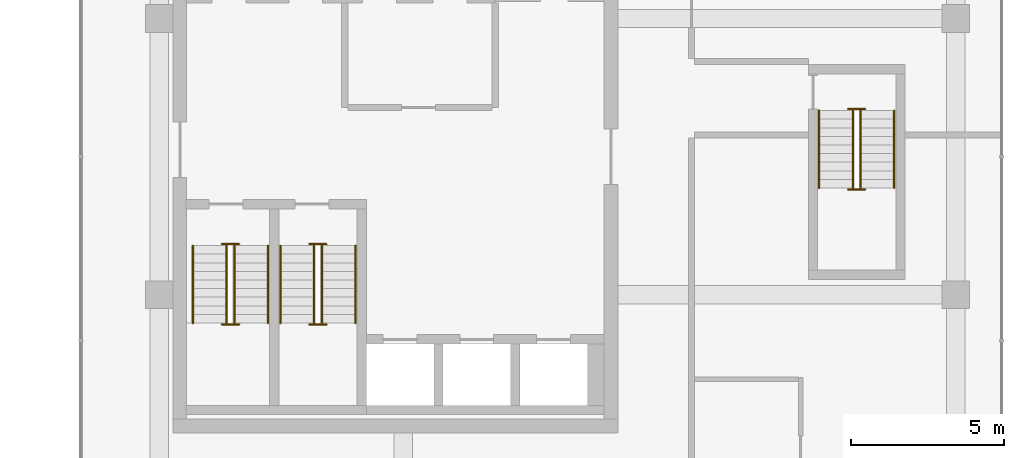
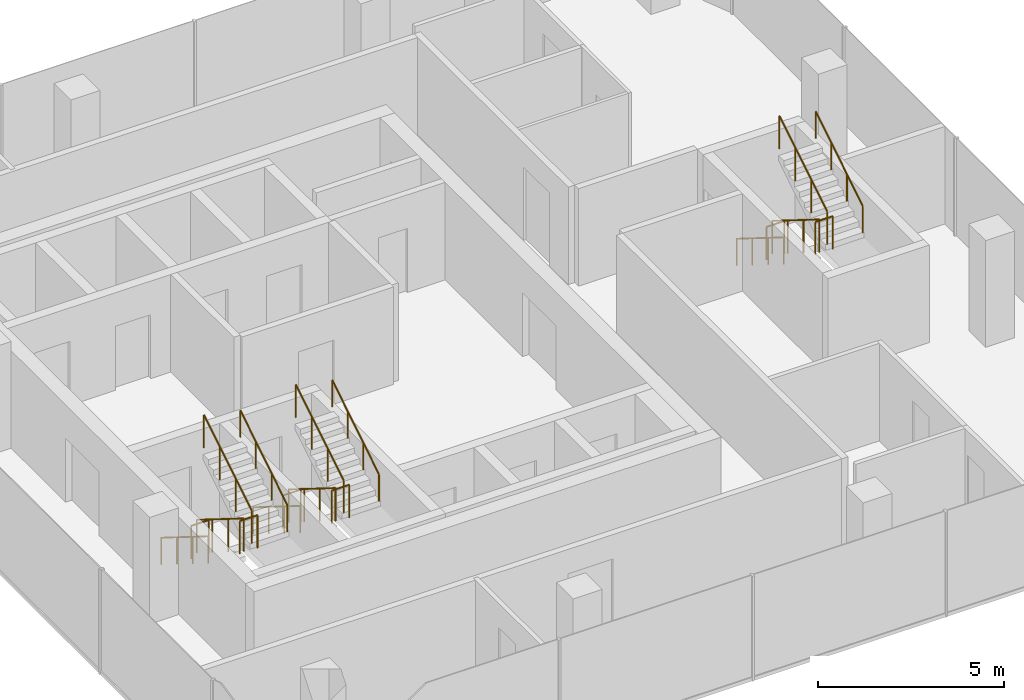
# One storey, part 22 of 22: 18 railings.
"""IFC4 building model written with IfcOpenShell, lengths in metres."""

from ifc_helpers import new_model, si_unit, direction, frame, origin, origin_2d, place, context, subcontext, project, spatial, circle, extrude, material, type_object, element, save


model = new_model("IFC4")

# Units and contexts
model_context = context("Model", 3, precision=1e-05, world=origin(), true_north=direction((0.0, 1.0)))
body_context = subcontext(model_context, "Body", "Model", "MODEL_VIEW")
ifc_project = project(units=[si_unit("LENGTHUNIT", "METRE"), si_unit("AREAUNIT", "SQUARE_METRE"), si_unit("VOLUMEUNIT", "CUBIC_METRE"), si_unit("PLANEANGLEUNIT", "RADIAN"), si_unit("MASSUNIT", "GRAM", prefix="KILO")], contexts=[model_context])

# Site, building, storey
site_placement = place(None, origin())
site = spatial("IfcSite", under=ifc_project, at=site_placement, CompositionType="ELEMENT")
building_placement = place(site_placement, origin())
building = spatial("IfcBuilding", under=site, at=building_placement, Name="Plateau Cross Towers", CompositionType="ELEMENT")
storey_placement = place(building_placement, frame((0.0, 0.0, 68.800048828125)))
storey = spatial("IfcBuildingStorey", under=building, at=storey_placement, Name="L17", CompositionType="ELEMENT", Elevation=68.800048828125)

# Railings
ifc_material_1 = material(Name="Stainless steel and toughened glass", Category="steel")
railing_type_1 = type_object("IfcRailingType", Name="RL-GUARD-1100", PredefinedType="GUARDRAIL", material=ifc_material_1)
railing_1_placement = place(storey_placement, frame((76.75, 6.10009765625, 0.175048828125)))
element("IfcRailing", 1, at=railing_1_placement, inside=storey, type_object=railing_type_1, Name="L17 SB-1 stair guard 1", PredefinedType="GUARDRAIL", context=body_context, shape_type="SweptSolid", body=[
    extrude(circle(Radius=0.02392578125, at=origin_2d()), frame((0.0, 0.0, 1.076171875), z_axis=(0.0, -0.848007534815, 0.529984170421), x_axis=(1.0, 0.0, 0.0)), (0.0, 0.0, 1.0), 2.9716796875),
    extrude(circle(Radius=0.02099609375, at=origin_2d()), origin(), (0.0, 0.0, 1.0), 1.052001953125),
    extrude(circle(Radius=0.02099609375, at=origin_2d()), frame((0.0, -0.840087890625, 0.52490234375)), (0.0, 0.0, 1.0), 1.052001953125),
    extrude(circle(Radius=0.02099609375, at=origin_2d()), frame((0.0, -1.679931640625, 1.050048828125)), (0.0, 0.0, 1.0), 1.052001953125),
    extrude(circle(Radius=0.02099609375, at=origin_2d()), frame((0.0, -2.52001953125, 1.574951171875)), (0.0, 0.0, 1.0), 1.052001953125),
])
railing_2_placement = place(storey_placement, frame((76.60009765625, 3.530029296875, 1.75)))
element("IfcRailing", 2, at=railing_2_placement, inside=storey, type_object=railing_type_1, Name="L17 SB-1 stair guard 2", PredefinedType="GUARDRAIL", context=body_context, shape_type="SweptSolid", body=[
    extrude(circle(Radius=0.02392578125, at=origin_2d()), frame((0.0, 0.0, 1.076171875), z_axis=(1.0, 0.0, 0.0), x_axis=(0.0, 1.0, 0.0)), (0.0, 0.0, 1.0), 0.5498046875),
    extrude(circle(Radius=0.02099609375, at=origin_2d()), origin(), (0.0, 0.0, 1.0), 1.052001953125),
    extrude(circle(Radius=0.02099609375, at=origin_2d()), frame((0.5498046875, 0.0, 0.0)), (0.0, 0.0, 1.0), 1.052001953125),
])
railing_3_placement = place(storey_placement, frame((77.0, 3.580078125, 1.925048828125)))
element("IfcRailing", 3, at=railing_3_placement, inside=storey, type_object=railing_type_1, Name="L17 SB-1 stair guard 3", PredefinedType="GUARDRAIL", context=body_context, shape_type="SweptSolid", body=[
    extrude(circle(Radius=0.02392578125, at=origin_2d()), frame((0.0, 0.0, 1.076171875), z_axis=(0.0, 0.852616386126, 0.522537365276), x_axis=(-1.0, 0.0, 0.0)), (0.0, 0.0, 1.0), 3.01416015625),
    extrude(circle(Radius=0.02099609375, at=origin_2d()), origin(), (0.0, 0.0, 1.0), 1.052001953125),
    extrude(circle(Radius=0.02099609375, at=origin_2d()), frame((0.0, 0.856689453125, 0.52490234375)), (0.0, 0.0, 1.0), 1.052001953125),
    extrude(circle(Radius=0.02099609375, at=origin_2d()), frame((0.0, 1.713134765625, 1.050048828125)), (0.0, 0.0, 1.0), 1.052001953125),
    extrude(circle(Radius=0.02099609375, at=origin_2d()), frame((0.0, 2.56982421875, 1.574951171875)), (0.0, 0.0, 1.0), 1.052001953125),
])
railing_4_placement = place(storey_placement, frame((76.60009765625, 6.14990234375, 0.0)))
element("IfcRailing", 4, at=railing_4_placement, inside=storey, type_object=railing_type_1, Name="L17 SB-1 stair guard 4", PredefinedType="GUARDRAIL", context=body_context, shape_type="SweptSolid", body=[
    extrude(circle(Radius=0.02392578125, at=origin_2d()), frame((0.0, 0.0, 1.076171875), z_axis=(1.0, 0.0, 0.0), x_axis=(0.0, 1.0, 0.0)), (0.0, 0.0, 1.0), 0.5498046875),
    extrude(circle(Radius=0.02099609375, at=origin_2d()), origin(), (0.0, 0.0, 1.0), 1.052001953125),
    extrude(circle(Radius=0.02099609375, at=origin_2d()), frame((0.5498046875, 0.0, 0.0)), (0.0, 0.0, 1.0), 1.052001953125),
])
railing_5_placement = place(storey_placement, frame((79.60009765625, 6.10009765625, 0.175048828125)))
element("IfcRailing", 5, at=railing_5_placement, inside=storey, type_object=railing_type_1, Name="L17 SB-2 stair guard 1", PredefinedType="GUARDRAIL", context=body_context, shape_type="SweptSolid", body=[
    extrude(circle(Radius=0.02392578125, at=origin_2d()), frame((0.0, 0.0, 1.076171875), z_axis=(0.0, -0.848007534815, 0.529984170421), x_axis=(1.0, 0.0, 0.0)), (0.0, 0.0, 1.0), 2.9716796875),
    extrude(circle(Radius=0.02099609375, at=origin_2d()), origin(), (0.0, 0.0, 1.0), 1.052001953125),
    extrude(circle(Radius=0.02099609375, at=origin_2d()), frame((0.0, -0.840087890625, 0.52490234375)), (0.0, 0.0, 1.0), 1.052001953125),
    extrude(circle(Radius=0.02099609375, at=origin_2d()), frame((0.0, -1.679931640625, 1.050048828125)), (0.0, 0.0, 1.0), 1.052001953125),
    extrude(circle(Radius=0.02099609375, at=origin_2d()), frame((0.0, -2.52001953125, 1.574951171875)), (0.0, 0.0, 1.0), 1.052001953125),
])
railing_6_placement = place(storey_placement, frame((79.449951171875, 3.530029296875, 1.75)))
element("IfcRailing", 6, at=railing_6_placement, inside=storey, type_object=railing_type_1, Name="L17 SB-2 stair guard 2", PredefinedType="GUARDRAIL", context=body_context, shape_type="SweptSolid", body=[
    extrude(circle(Radius=0.02392578125, at=origin_2d()), frame((0.0, 0.0, 1.076171875), z_axis=(1.0, 0.0, 0.0), x_axis=(0.0, 1.0, 0.0)), (0.0, 0.0, 1.0), 0.550048828125),
    extrude(circle(Radius=0.02099609375, at=origin_2d()), origin(), (0.0, 0.0, 1.0), 1.052001953125),
    extrude(circle(Radius=0.02099609375, at=origin_2d()), frame((0.550048828125, 0.0, 0.0)), (0.0, 0.0, 1.0), 1.052001953125),
])
railing_7_placement = place(storey_placement, frame((79.85009765625, 3.580078125, 1.925048828125)))
element("IfcRailing", 7, at=railing_7_placement, inside=storey, type_object=railing_type_1, Name="L17 SB-2 stair guard 3", PredefinedType="GUARDRAIL", context=body_context, shape_type="SweptSolid", body=[
    extrude(circle(Radius=0.02392578125, at=origin_2d()), frame((0.0, 0.0, 1.076171875), z_axis=(0.0, 0.852616386126, 0.522537365276), x_axis=(-1.0, 0.0, 0.0)), (0.0, 0.0, 1.0), 3.01416015625),
    extrude(circle(Radius=0.02099609375, at=origin_2d()), origin(), (0.0, 0.0, 1.0), 1.052001953125),
    extrude(circle(Radius=0.02099609375, at=origin_2d()), frame((0.0, 0.856689453125, 0.52490234375)), (0.0, 0.0, 1.0), 1.052001953125),
    extrude(circle(Radius=0.02099609375, at=origin_2d()), frame((0.0, 1.713134765625, 1.050048828125)), (0.0, 0.0, 1.0), 1.052001953125),
    extrude(circle(Radius=0.02099609375, at=origin_2d()), frame((0.0, 2.56982421875, 1.574951171875)), (0.0, 0.0, 1.0), 1.052001953125),
])
railing_8_placement = place(storey_placement, frame((79.449951171875, 6.14990234375, 0.0)))
element("IfcRailing", 8, at=railing_8_placement, inside=storey, type_object=railing_type_1, Name="L17 SB-2 stair guard 4", PredefinedType="GUARDRAIL", context=body_context, shape_type="SweptSolid", body=[
    extrude(circle(Radius=0.02392578125, at=origin_2d()), frame((0.0, 0.0, 1.076171875), z_axis=(1.0, 0.0, 0.0), x_axis=(0.0, 1.0, 0.0)), (0.0, 0.0, 1.0), 0.550048828125),
    extrude(circle(Radius=0.02099609375, at=origin_2d()), origin(), (0.0, 0.0, 1.0), 1.052001953125),
    extrude(circle(Radius=0.02099609375, at=origin_2d()), frame((0.550048828125, 0.0, 0.0)), (0.0, 0.0, 1.0), 1.052001953125),
])
railing_9_placement = place(storey_placement, frame((97.14990234375, 10.5, 0.175048828125)))
element("IfcRailing", 9, at=railing_9_placement, inside=storey, type_object=railing_type_1, Name="L17 SB-3 stair guard 1", PredefinedType="GUARDRAIL", context=body_context, shape_type="SweptSolid", body=[
    extrude(circle(Radius=0.02392578125, at=origin_2d()), frame((0.0, 0.0, 1.076171875), z_axis=(0.0, -0.848007534815, 0.529984170421), x_axis=(1.0, 0.0, 0.0)), (0.0, 0.0, 1.0), 2.9716796875),
    extrude(circle(Radius=0.02099609375, at=origin_2d()), origin(), (0.0, 0.0, 1.0), 1.052001953125),
    extrude(circle(Radius=0.02099609375, at=origin_2d()), frame((0.0, -0.840087890625, 0.52490234375)), (0.0, 0.0, 1.0), 1.052001953125),
    extrude(circle(Radius=0.02099609375, at=origin_2d()), frame((0.0, -1.679931640625, 1.050048828125)), (0.0, 0.0, 1.0), 1.052001953125),
    extrude(circle(Radius=0.02099609375, at=origin_2d()), frame((0.0, -2.52001953125, 1.574951171875)), (0.0, 0.0, 1.0), 1.052001953125),
])
railing_10_placement = place(storey_placement, frame((97.0, 7.929931640625, 1.75)))
element("IfcRailing", 10, at=railing_10_placement, inside=storey, type_object=railing_type_1, Name="L17 SB-3 stair guard 2", PredefinedType="GUARDRAIL", context=body_context, shape_type="SweptSolid", body=[
    extrude(circle(Radius=0.02392578125, at=origin_2d()), frame((0.0, 0.0, 1.076171875), z_axis=(1.0, 0.0, 0.0), x_axis=(0.0, 1.0, 0.0)), (0.0, 0.0, 1.0), 0.550048828125),
    extrude(circle(Radius=0.02099609375, at=origin_2d()), origin(), (0.0, 0.0, 1.0), 1.052001953125),
    extrude(circle(Radius=0.02099609375, at=origin_2d()), frame((0.550048828125, 0.0, 0.0)), (0.0, 0.0, 1.0), 1.052001953125),
])
railing_11_placement = place(storey_placement, frame((97.39990234375, 7.97998046875, 1.925048828125)))
element("IfcRailing", 11, at=railing_11_placement, inside=storey, type_object=railing_type_1, Name="L17 SB-3 stair guard 3", PredefinedType="GUARDRAIL", context=body_context, shape_type="SweptSolid", body=[
    extrude(circle(Radius=0.02392578125, at=origin_2d()), frame((0.0, 0.0, 1.076171875), z_axis=(0.0, 0.852638500773, 0.522501279423), x_axis=(-1.0, 0.0, 0.0)), (0.0, 0.0, 1.0), 3.01416015625),
    extrude(circle(Radius=0.02099609375, at=origin_2d()), origin(), (0.0, 0.0, 1.0), 1.052001953125),
    extrude(circle(Radius=0.02099609375, at=origin_2d()), frame((0.0, 0.856689453125, 0.52490234375)), (0.0, 0.0, 1.0), 1.052001953125),
    extrude(circle(Radius=0.02099609375, at=origin_2d()), frame((0.0, 1.71337890625, 1.050048828125)), (0.0, 0.0, 1.0), 1.052001953125),
    extrude(circle(Radius=0.02099609375, at=origin_2d()), frame((0.0, 2.570068359375, 1.574951171875)), (0.0, 0.0, 1.0), 1.052001953125),
])
railing_12_placement = place(storey_placement, frame((97.0, 10.550048828125, 0.0)))
element("IfcRailing", 12, at=railing_12_placement, inside=storey, type_object=railing_type_1, Name="L17 SB-3 stair guard 4", PredefinedType="GUARDRAIL", context=body_context, shape_type="SweptSolid", body=[
    extrude(circle(Radius=0.02392578125, at=origin_2d()), frame((0.0, 0.0, 1.076171875), z_axis=(1.0, 0.0, 0.0), x_axis=(0.0, 1.0, 0.0)), (0.0, 0.0, 1.0), 0.550048828125),
    extrude(circle(Radius=0.02099609375, at=origin_2d()), origin(), (0.0, 0.0, 1.0), 1.052001953125),
    extrude(circle(Radius=0.02099609375, at=origin_2d()), frame((0.550048828125, 0.0, 0.0)), (0.0, 0.0, 1.0), 1.052001953125),
])
ifc_material_2 = material(Name="Black anodised aluminium", Category="aluminium")
railing_type_2 = type_object("IfcRailingType", Name="RL-HANDRAIL-900", PredefinedType="HANDRAIL", material=ifc_material_2)
railing_13_placement = place(storey_placement, frame((75.64990234375, 6.10009765625, 0.175048828125)))
element("IfcRailing", 13, at=railing_13_placement, inside=storey, type_object=railing_type_2, Name="L17 SB-1 stair handrail 1", PredefinedType="HANDRAIL", context=body_context, shape_type="SweptSolid", body=[
    extrude(circle(Radius=0.02392578125, at=origin_2d()), frame((0.0, 0.0, 0.8759765625), z_axis=(0.0, -0.848007534815, 0.529984170421), x_axis=(1.0, 0.0, 0.0)), (0.0, 0.0, 1.0), 2.9716796875),
    extrude(circle(Radius=0.02099609375, at=origin_2d()), origin(), (0.0, 0.0, 1.0), 0.851806640625),
    extrude(circle(Radius=0.02099609375, at=origin_2d()), frame((0.0, -0.840087890625, 0.52490234375)), (0.0, 0.0, 1.0), 0.851806640625),
    extrude(circle(Radius=0.02099609375, at=origin_2d()), frame((0.0, -1.679931640625, 1.050048828125)), (0.0, 0.0, 1.0), 0.851806640625),
    extrude(circle(Radius=0.02099609375, at=origin_2d()), frame((0.0, -2.52001953125, 1.574951171875)), (0.0, 0.0, 1.0), 0.851806640625),
])
railing_14_placement = place(storey_placement, frame((78.10009765625, 3.580078125, 1.925048828125)))
element("IfcRailing", 14, at=railing_14_placement, inside=storey, type_object=railing_type_2, Name="L17 SB-1 stair handrail 2", PredefinedType="HANDRAIL", context=body_context, shape_type="SweptSolid", body=[
    extrude(circle(Radius=0.02392578125, at=origin_2d()), frame((0.0, 0.0, 0.8759765625), z_axis=(0.0, 0.848007534815, 0.529984170421), x_axis=(-1.0, 0.0, 0.0)), (0.0, 0.0, 1.0), 2.9716796875),
    extrude(circle(Radius=0.02099609375, at=origin_2d()), origin(), (0.0, 0.0, 1.0), 0.851806640625),
    extrude(circle(Radius=0.02099609375, at=origin_2d()), frame((0.0, 0.840087890625, 0.52490234375)), (0.0, 0.0, 1.0), 0.851806640625),
    extrude(circle(Radius=0.02099609375, at=origin_2d()), frame((0.0, 1.679931640625, 1.050048828125)), (0.0, 0.0, 1.0), 0.851806640625),
    extrude(circle(Radius=0.02099609375, at=origin_2d()), frame((0.0, 2.52001953125, 1.574951171875)), (0.0, 0.0, 1.0), 0.851806640625),
])
railing_15_placement = place(storey_placement, frame((78.5, 6.10009765625, 0.175048828125)))
element("IfcRailing", 15, at=railing_15_placement, inside=storey, type_object=railing_type_2, Name="L17 SB-2 stair handrail 1", PredefinedType="HANDRAIL", context=body_context, shape_type="SweptSolid", body=[
    extrude(circle(Radius=0.02392578125, at=origin_2d()), frame((0.0, 0.0, 0.8759765625), z_axis=(0.0, -0.848007534815, 0.529984170421), x_axis=(1.0, 0.0, 0.0)), (0.0, 0.0, 1.0), 2.9716796875),
    extrude(circle(Radius=0.02099609375, at=origin_2d()), origin(), (0.0, 0.0, 1.0), 0.851806640625),
    extrude(circle(Radius=0.02099609375, at=origin_2d()), frame((0.0, -0.840087890625, 0.52490234375)), (0.0, 0.0, 1.0), 0.851806640625),
    extrude(circle(Radius=0.02099609375, at=origin_2d()), frame((0.0, -1.679931640625, 1.050048828125)), (0.0, 0.0, 1.0), 0.851806640625),
    extrude(circle(Radius=0.02099609375, at=origin_2d()), frame((0.0, -2.52001953125, 1.574951171875)), (0.0, 0.0, 1.0), 0.851806640625),
])
railing_16_placement = place(storey_placement, frame((80.949951171875, 3.580078125, 1.925048828125)))
element("IfcRailing", 16, at=railing_16_placement, inside=storey, type_object=railing_type_2, Name="L17 SB-2 stair handrail 2", PredefinedType="HANDRAIL", context=body_context, shape_type="SweptSolid", body=[
    extrude(circle(Radius=0.02392578125, at=origin_2d()), frame((0.0, 0.0, 0.8759765625), z_axis=(0.0, 0.848007534815, 0.529984170421), x_axis=(-1.0, 0.0, 0.0)), (0.0, 0.0, 1.0), 2.9716796875),
    extrude(circle(Radius=0.02099609375, at=origin_2d()), origin(), (0.0, 0.0, 1.0), 0.851806640625),
    extrude(circle(Radius=0.02099609375, at=origin_2d()), frame((0.0, 0.840087890625, 0.52490234375)), (0.0, 0.0, 1.0), 0.851806640625),
    extrude(circle(Radius=0.02099609375, at=origin_2d()), frame((0.0, 1.679931640625, 1.050048828125)), (0.0, 0.0, 1.0), 0.851806640625),
    extrude(circle(Radius=0.02099609375, at=origin_2d()), frame((0.0, 2.52001953125, 1.574951171875)), (0.0, 0.0, 1.0), 0.851806640625),
])
railing_17_placement = place(storey_placement, frame((96.050048828125, 10.5, 0.175048828125)))
element("IfcRailing", 17, at=railing_17_placement, inside=storey, type_object=railing_type_2, Name="L17 SB-3 stair handrail 1", PredefinedType="HANDRAIL", context=body_context, shape_type="SweptSolid", body=[
    extrude(circle(Radius=0.02392578125, at=origin_2d()), frame((0.0, 0.0, 0.8759765625), z_axis=(0.0, -0.848007534815, 0.529984170421), x_axis=(1.0, 0.0, 0.0)), (0.0, 0.0, 1.0), 2.9716796875),
    extrude(circle(Radius=0.02099609375, at=origin_2d()), origin(), (0.0, 0.0, 1.0), 0.851806640625),
    extrude(circle(Radius=0.02099609375, at=origin_2d()), frame((0.0, -0.840087890625, 0.52490234375)), (0.0, 0.0, 1.0), 0.851806640625),
    extrude(circle(Radius=0.02099609375, at=origin_2d()), frame((0.0, -1.679931640625, 1.050048828125)), (0.0, 0.0, 1.0), 0.851806640625),
    extrude(circle(Radius=0.02099609375, at=origin_2d()), frame((0.0, -2.52001953125, 1.574951171875)), (0.0, 0.0, 1.0), 0.851806640625),
])
railing_18_placement = place(storey_placement, frame((98.5, 7.97998046875, 1.925048828125)))
element("IfcRailing", 18, at=railing_18_placement, inside=storey, type_object=railing_type_2, Name="L17 SB-3 stair handrail 2", PredefinedType="HANDRAIL", context=body_context, shape_type="SweptSolid", body=[
    extrude(circle(Radius=0.02392578125, at=origin_2d()), frame((0.0, 0.0, 0.8759765625), z_axis=(0.0, 0.848007534815, 0.529984170421), x_axis=(-1.0, 0.0, 0.0)), (0.0, 0.0, 1.0), 2.9716796875),
    extrude(circle(Radius=0.02099609375, at=origin_2d()), origin(), (0.0, 0.0, 1.0), 0.851806640625),
    extrude(circle(Radius=0.02099609375, at=origin_2d()), frame((0.0, 0.840087890625, 0.52490234375)), (0.0, 0.0, 1.0), 0.851806640625),
    extrude(circle(Radius=0.02099609375, at=origin_2d()), frame((0.0, 1.679931640625, 1.050048828125)), (0.0, 0.0, 1.0), 0.851806640625),
    extrude(circle(Radius=0.02099609375, at=origin_2d()), frame((0.0, 2.52001953125, 1.574951171875)), (0.0, 0.0, 1.0), 0.851806640625),
])

save(model, "model.ifc")
